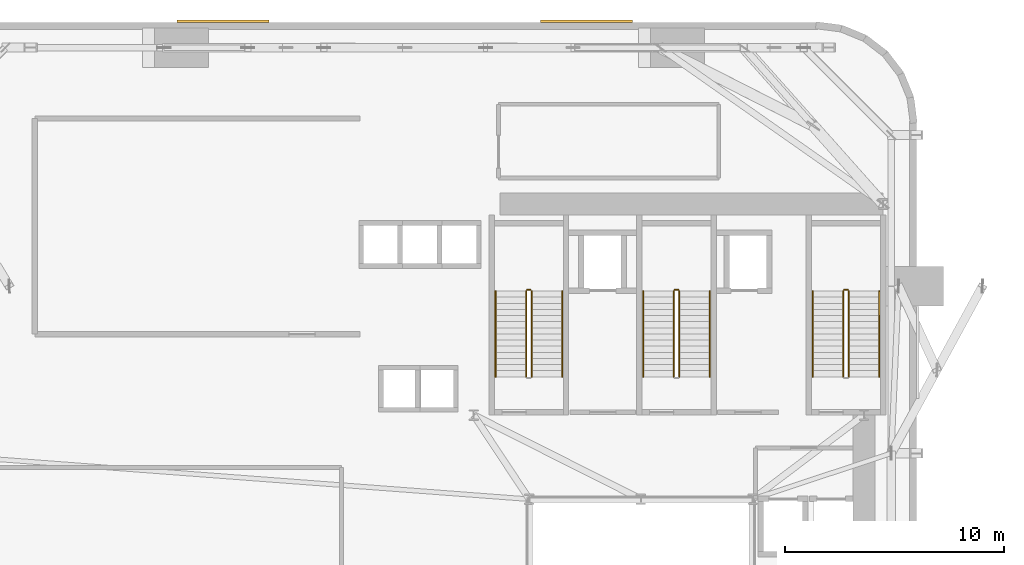
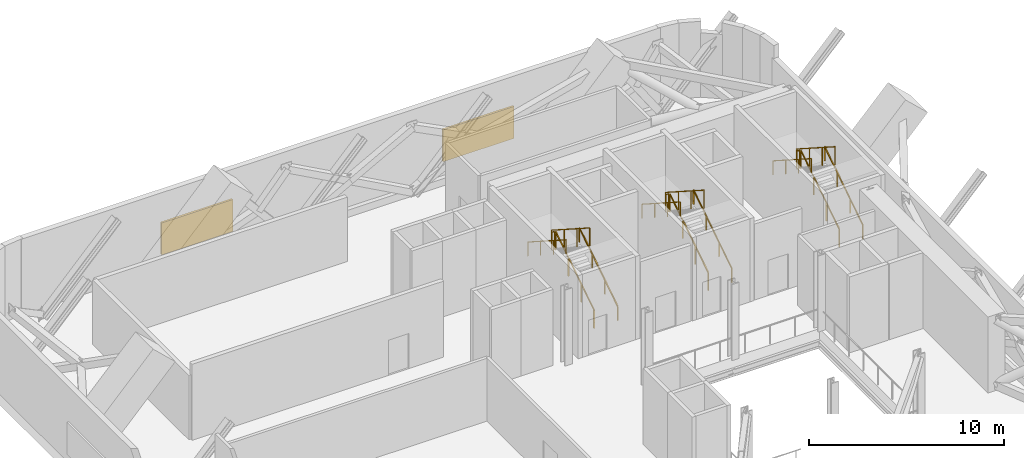
# One storey, part 12 of 12: 15 railings, 2 shading devices.
"""IFC4 building model written with IfcOpenShell, lengths in metres."""

import ifcopenshell
import ifcopenshell.guid

model = None  # the IFC model being written
_history = None  # IfcOwnerHistory: only IFC2X3 demands one
_inside = {}  # id of a spatial element -> (the spatial element, [elements in it])
_under = {}  # id of a project, library or spatial element -> (it, [spatial elements below it])
_declared = {}  # id of a project -> (the project, [libraries it declares])
_typed = {}  # id of a type object -> (the type object, [elements of that type])
_made_of = {}  # id of a material, layer set ... -> (it, [elements and type objects made of it])


def new_model(schema):
    """Start an empty IFC model of exactly this schema.

    Asked for "IFC4X3", IfcOpenShell would pick the latest addendum, in which some entities
    have other attributes; the version numbers below select the first issue.
    IFC2X3 requires an IfcOwnerHistory on every rooted entity: one is made here for all.
    """
    global model, _history
    if schema == "IFC4X3":
        model = ifcopenshell.file(schema_version=(4, 3, 0, 0))
    else:
        model = ifcopenshell.file(schema=schema)
    _inside.clear()
    _under.clear()
    _declared.clear()
    _typed.clear()
    _made_of.clear()
    _history = None
    if model.schema == "IFC2X3":
        org = make("IfcOrganization", Name="unknown")
        user = make(
            "IfcPersonAndOrganization",
            ThePerson=make("IfcPerson", FamilyName="unknown"),
            TheOrganization=org,
        )
        app = make(
            "IfcApplication",
            ApplicationDeveloper=org,
            Version="unknown",
            ApplicationFullName="unknown",
            ApplicationIdentifier="unknown",
        )
        _history = make(
            "IfcOwnerHistory",
            OwningUser=user,
            OwningApplication=app,
            ChangeAction="ADDED",
            CreationDate=0,
        )
    return model


def make(cls, **values):
    """One entity of the class cls with the attributes given. An attribute that is None is left unset."""
    return model.create_entity(
        cls, **{name: value for name, value in values.items() if value is not None}
    )


def rooted(cls, **values):
    """An entity with a GlobalId (a new one), such as an element, a storey or a relation."""
    return make(cls, GlobalId=ifcopenshell.guid.new(), OwnerHistory=_history, **values)


def si_unit(unit_type, name, prefix=None):
    """IfcSIUnit, for example si_unit("LENGTHUNIT", "METRE", prefix="MILLI")."""
    return make("IfcSIUnit", UnitType=unit_type, Prefix=prefix, Name=name)


def assignment(units):
    """IfcUnitAssignment: the units of a project."""
    return None if units is None else make("IfcUnitAssignment", Units=units)


def point(xyz):
    """IfcCartesianPoint."""
    return None if xyz is None else make("IfcCartesianPoint", Coordinates=xyz)


def direction(xyz):
    """IfcDirection."""
    return None if xyz is None else make("IfcDirection", DirectionRatios=xyz)


def frame(location, z_axis=None, x_axis=None):
    """IfcAxis2Placement3D, a coordinate frame: its origin and axes. An axis left out is left unset."""
    return make(
        "IfcAxis2Placement3D",
        Location=point(location),
        Axis=direction(z_axis),
        RefDirection=direction(x_axis),
    )


def frame_2d(location, x_axis=None):
    """IfcAxis2Placement2D, a coordinate frame in the plane: its origin and x axis."""
    return make(
        "IfcAxis2Placement2D", Location=point(location), RefDirection=direction(x_axis)
    )


def origin():
    """The frame at (0, 0, 0) with its axes left unset."""
    return frame((0.0, 0.0, 0.0))


def origin_2d():
    """The frame at (0, 0) in the plane with its x axis left unset."""
    return frame_2d((0.0, 0.0))


def place(relative_to, where):
    """IfcLocalPlacement: puts the frame where relative to a parent placement (None: the world)."""
    return make(
        "IfcLocalPlacement", PlacementRelTo=relative_to, RelativePlacement=where
    )


def context(
    kind, dimensions, precision=None, world=None, true_north=None, identifier=None
):
    """IfcGeometricRepresentationContext, for example the 3D "Model" context."""
    return make(
        "IfcGeometricRepresentationContext",
        ContextIdentifier=identifier,
        ContextType=kind,
        CoordinateSpaceDimension=dimensions,
        Precision=precision,
        WorldCoordinateSystem=world,
        TrueNorth=true_north,
    )


def subcontext(parent, identifier, kind, view, scale=None):
    """IfcGeometricRepresentationSubContext, for example "Body" below "Model"."""
    return make(
        "IfcGeometricRepresentationSubContext",
        ContextIdentifier=identifier,
        ContextType=kind,
        ParentContext=parent,
        TargetScale=scale,
        TargetView=view,
    )


def project(units=None, contexts=None):
    """IfcProject with its units and contexts."""
    return rooted(
        "IfcProject",
        Name="project",
        RepresentationContexts=contexts,
        UnitsInContext=assignment(units),
    )


def spatial(cls, under=None, at=None, **own):
    """A site, building, storey or space (cls), placed at a placement, below another one or the project."""
    s = rooted(cls, ObjectPlacement=at, **own)
    if under is not None:
        _under.setdefault(under.id(), (under, []))[1].append(s)
    return s


def profile(cls, at=None, kind="AREA", **sizes):
    """A parametric profile (cls). Its sizes go by their IFC names, for example OverallWidth=200.0."""
    return make(cls, ProfileType=kind, Position=at, **sizes)


def rectangle(**sizes):
    """IfcRectangleProfileDef."""
    return profile("IfcRectangleProfileDef", **sizes)


def extrude(swept, where, along, depth):
    """IfcExtrudedAreaSolid: the profile swept, set in the frame where, extruded along a direction by depth."""
    return make(
        "IfcExtrudedAreaSolid",
        SweptArea=swept,
        Position=where,
        ExtrudedDirection=direction(along),
        Depth=depth,
    )


def shape(context_of_items, identifier, shape_type, items):
    """IfcShapeRepresentation: the items that make up one representation, for example the "Body"."""
    return make(
        "IfcShapeRepresentation",
        ContextOfItems=context_of_items,
        RepresentationIdentifier=identifier,
        RepresentationType=shape_type,
        Items=items,
    )


def source(mapping_origin, context_of_items, identifier, shape_type, items):
    """IfcRepresentationMap: a shape defined once, which mapped items show again and again."""
    return make(
        "IfcRepresentationMap",
        MappingOrigin=mapping_origin,
        MappedRepresentation=shape(context_of_items, identifier, shape_type, items),
    )


def transform(
    local_origin,
    x_axis=None,
    y_axis=None,
    z_axis=None,
    scale=None,
    scale2=None,
    scale3=None,
    uniform=True,
):
    """IfcCartesianTransformationOperator3D, or its non-uniform kind. x_axis, y_axis, z_axis: its Axis1, 2, 3."""
    if uniform:
        return make(
            "IfcCartesianTransformationOperator3D",
            Axis1=direction(x_axis),
            Axis2=direction(y_axis),
            LocalOrigin=point(local_origin),
            Scale=scale,
            Axis3=direction(z_axis),
        )
    return make(
        "IfcCartesianTransformationOperator3DnonUniform",
        Axis1=direction(x_axis),
        Axis2=direction(y_axis),
        LocalOrigin=point(local_origin),
        Scale=scale,
        Axis3=direction(z_axis),
        Scale2=scale2,
        Scale3=scale3,
    )


def mapped(mapping_source, mapping_target):
    """IfcMappedItem: shows the shape of a source again, moved by a transform."""
    return make(
        "IfcMappedItem", MappingSource=mapping_source, MappingTarget=mapping_target
    )


def material(Name=None, Category=None):
    """IfcMaterial."""
    return make("IfcMaterial", Name=Name, Category=Category)


def layer(
    of_material, thickness, ventilated=None, Name=None, Category=None, Priority=None
):
    """IfcMaterialLayer: one layer of a wall or slab, of a material (None: an air gap)."""
    return make(
        "IfcMaterialLayer",
        Material=of_material,
        LayerThickness=thickness,
        IsVentilated=ventilated,
        Name=Name,
        Category=Category,
        Priority=Priority,
    )


def layer_set(layers, Name=None):
    """IfcMaterialLayerSet."""
    return make("IfcMaterialLayerSet", MaterialLayers=layers, LayerSetName=Name)


def made_of(thing, what):
    """Note that an element or type object is made of a material, layer set ...; save() writes the relation."""
    if what is not None:
        _made_of.setdefault(what.id(), (what, []))[1].append(thing)
    return thing


def type_object(cls, material=None, **own):
    """A type object (cls), such as IfcWallType, which elements share."""
    return made_of(rooted(cls, **own), material)


def element(
    cls,
    number,
    at=None,
    inside=None,
    cuts=None,
    type_object=None,
    material=None,
    context=None,
    identifier="Body",
    shape_type=None,
    held_by="IfcProductDefinitionShape",
    body=None,
    shapes=None,
    **own,
):
    """One element of the class cls, such as IfcWall. Its Tag is "e" and its number.

    at: its placement. inside: the storey or other place that contains it. cuts: it is an
    opening in that element (IfcRelVoidsElement). A single representation is given by context,
    identifier, shape_type and body (its items); several are given by shapes. held_by: the class
    of the entity that holds the representations. save() writes the other relations.
    """
    e = rooted(cls, Tag="e%d" % number, ObjectPlacement=at, **own)
    if body is not None:
        shapes = [shape(context, identifier, shape_type, body)]
    if shapes is not None:
        e.Representation = make(held_by, Representations=shapes)
    if inside is not None:
        _inside.setdefault(inside.id(), (inside, []))[1].append(e)
    if cuts is not None:
        rooted(
            "IfcRelVoidsElement", RelatingBuildingElement=cuts, RelatedOpeningElement=e
        )
    if type_object is not None:
        _typed.setdefault(type_object.id(), (type_object, []))[1].append(e)
    return made_of(e, material)


def aggregate(whole, parts):
    """IfcRelAggregates: a whole, such as a stair, and the parts it consists of."""
    return rooted("IfcRelAggregates", RelatingObject=whole, RelatedObjects=parts)


def save(model, path):
    """Write the relations noted so far, then the file.

    IfcRelAggregates (storeys below a building ...), IfcRelContainedInSpatialStructure (elements
    in a storey), IfcRelDefinesByType, IfcRelAssociatesMaterial and IfcRelDeclares: one each for
    every whole, place, type object, material and project.
    """
    for whole, parts in _under.values():
        aggregate(whole, parts)
    for where, things in _inside.values():
        rooted(
            "IfcRelContainedInSpatialStructure",
            RelatedElements=things,
            RelatingStructure=where,
        )
    for kind, things in _typed.values():
        rooted("IfcRelDefinesByType", RelatedObjects=things, RelatingType=kind)
    for what, things in _made_of.values():
        rooted("IfcRelAssociatesMaterial", RelatedObjects=things, RelatingMaterial=what)
    for by, libraries in _declared.values():
        rooted("IfcRelDeclares", RelatingContext=by, RelatedDefinitions=libraries)
    model.write(path)


model = new_model("IFC4")

# Units and contexts
model_context = context("Model", 3, precision=1e-05, world=origin(), true_north=direction((0.0, 1.0)))
body_context = subcontext(model_context, "Body", "Model", "MODEL_VIEW")
ifc_project = project(units=[si_unit("LENGTHUNIT", "METRE"), si_unit("AREAUNIT", "SQUARE_METRE"), si_unit("VOLUMEUNIT", "CUBIC_METRE"), si_unit("PLANEANGLEUNIT", "RADIAN"), si_unit("MASSUNIT", "GRAM", prefix="KILO")], contexts=[model_context])

# Site, building, storey
site_placement = place(None, origin())
site = spatial("IfcSite", under=ifc_project, at=site_placement, CompositionType="ELEMENT")
building_placement = place(site_placement, origin())
building = spatial("IfcBuilding", under=site, at=building_placement, Name="Vardaveli Station Tower", CompositionType="ELEMENT")
storey_placement = place(building_placement, frame((0.0, 0.0, 93.300048828125)))
storey = spatial("IfcBuildingStorey", under=building, at=storey_placement, Name="L24", CompositionType="ELEMENT", Elevation=93.300048828125)

# Shading devices
ifc_material_1 = material(Name="Anodised champagne aluminium acoustic louvre", Category="aluminium")
ifc_layer = layer(ifc_material_1, 0.1201171875, Name="Anodised champagne aluminium acoustic louvre")
ifc_layer_set = layer_set([ifc_layer], Name="Anodised champagne aluminium acoustic louvre")
shading_device_type = type_object("IfcShadingDeviceType", Name="SHD-LOUVRE-JAL", PredefinedType="JALOUSIE", material=ifc_layer_set)
shared_shape_1 = source(origin(), body_context, "Body", "SweptSolid", [
    extrude(rectangle(XDim=4.199951171875, YDim=0.1201171875, at=origin_2d()), origin(), (0.0, 0.0, 1.0), 2.0),
])
for number, where, z_axis, x_axis, name in (
    (1, (33.81591796875, 48.654052734375, 0.599853515625), (0.0, 0.0, 1.0), (1.0, 0.0, 0.0), "SHD-LV-L24-N1"),
    (2, (17.18408203125, 48.654052734375, 0.599853515625), (0.0, 0.0, 1.0), (1.0, 0.0, 0.0), "SHD-LV-L24-N2"),
):
    element("IfcShadingDevice", number, at=place(storey_placement, frame(where, z_axis=z_axis, x_axis=x_axis)), inside=storey, type_object=shading_device_type, Name=name, PredefinedType="JALOUSIE", context=body_context, shape_type="MappedRepresentation", body=[
        mapped(shared_shape_1, transform((0.0, 0.0, 0.0), scale=1.0)),
    ])

# Railings
ifc_material_2 = material(Name="Brushed AISI 316 stainless steel", Category="steel")
railing_type_1 = type_object("IfcRailingType", Name="RL-GUARD-1150", PredefinedType="GUARDRAIL", material=ifc_material_2)
shared_shape_2 = source(origin(), body_context, "Body", "SweptSolid", [
    extrude(rectangle(XDim=0.048095703125, YDim=0.048095703125, at=origin_2d()), frame((0.0, 0.0, 1.1259765625), z_axis=(0.0, 0.841186985886, 0.540744352514), x_axis=(-1.0, 0.0, 0.0)), (0.0, 0.0, 1.0), 4.660400390625),
    extrude(rectangle(XDim=0.0419921875, YDim=0.0419921875, at=origin_2d()), origin(), (0.0, 0.0, 1.0), 1.101806640625),
    extrude(rectangle(XDim=0.0419921875, YDim=0.0419921875, at=origin_2d()), frame((0.0, 1.306640625, 0.840087890625)), (0.0, 0.0, 1.0), 1.101806640625),
    extrude(rectangle(XDim=0.0419921875, YDim=0.0419921875, at=origin_2d()), frame((0.0, 2.613525390625, 1.679931640625)), (0.0, 0.0, 1.0), 1.101806640625),
    extrude(rectangle(XDim=0.0419921875, YDim=0.0419921875, at=origin_2d()), frame((0.0, 3.920166015625, 2.52001953125)), (0.0, 0.0, 1.0), 1.101806640625),
])
for number, where, name in (
    (3, (31.300048828125, 32.39990234375, 0.179931640625), "L24 ST-1 stair guard 1"),
    (4, (38.050048828125, 32.39990234375, 0.179931640625), "L24 ST-2 stair guard 1"),
    (5, (45.800048828125, 32.39990234375, 0.179931640625), "L24 ST-3 stair guard 1"),
):
    element("IfcRailing", number, at=place(storey_placement, frame(where)), inside=storey, type_object=railing_type_1, Name=name, PredefinedType="GUARDRAIL", context=body_context, shape_type="MappedRepresentation", body=[
        mapped(shared_shape_2, transform((0.0, 0.0, 0.0), scale=1.0)),
    ])
shared_shape_3 = source(origin(), body_context, "Body", "SweptSolid", [
    extrude(rectangle(XDim=0.048095703125, YDim=0.048095703125, at=origin_2d()), frame((0.0, 0.0, 1.1259765625), z_axis=(-1.0, 0.0, 0.0), x_axis=(0.0, -1.0, 0.0)), (0.0, 0.0, 1.0), 0.14990234375),
    extrude(rectangle(XDim=0.0419921875, YDim=0.0419921875, at=origin_2d()), origin(), (0.0, 0.0, 1.0), 1.101806640625),
    extrude(rectangle(XDim=0.0419921875, YDim=0.0419921875, at=origin_2d()), frame((-0.14990234375, 0.0, 0.0)), (0.0, 0.0, 1.0), 1.101806640625),
])
for number, where, name in (
    (6, (31.25, 36.3701171875, 2.699951171875), "L24 ST-1 stair guard 2"),
    (7, (38.0, 36.3701171875, 2.699951171875), "L24 ST-2 stair guard 2"),
    (8, (45.75, 36.3701171875, 2.699951171875), "L24 ST-3 stair guard 2"),
):
    element("IfcRailing", number, at=place(storey_placement, frame(where)), inside=storey, type_object=railing_type_1, Name=name, PredefinedType="GUARDRAIL", context=body_context, shape_type="MappedRepresentation", body=[
        mapped(shared_shape_3, transform((0.0, 0.0, 0.0), scale=1.0)),
    ])
shared_shape_4 = source(origin(), body_context, "Body", "SweptSolid", [
    extrude(rectangle(XDim=0.048095703125, YDim=0.048095703125, at=origin_2d()), frame((0.0, 0.0, 1.1259765625), z_axis=(0.0, -0.841186985886, 0.540744352514), x_axis=(1.0, 0.0, 0.0)), (0.0, 0.0, 1.0), 4.660400390625),
    extrude(rectangle(XDim=0.0419921875, YDim=0.0419921875, at=origin_2d()), origin(), (0.0, 0.0, 1.0), 1.101806640625),
    extrude(rectangle(XDim=0.0419921875, YDim=0.0419921875, at=origin_2d()), frame((0.0, -1.306640625, 0.840087890625)), (0.0, 0.0, 1.0), 1.101806640625),
    extrude(rectangle(XDim=0.0419921875, YDim=0.0419921875, at=origin_2d()), frame((0.0, -2.613525390625, 1.679931640625)), (0.0, 0.0, 1.0), 1.101806640625),
    extrude(rectangle(XDim=0.0419921875, YDim=0.0419921875, at=origin_2d()), frame((0.0, -3.920166015625, 2.52001953125)), (0.0, 0.0, 1.0), 1.101806640625),
])
for number, where, name in (
    (9, (31.050048828125, 36.320068359375, 2.8798828125), "L24 ST-1 stair guard 3"),
    (10, (37.800048828125, 36.320068359375, 2.8798828125), "L24 ST-2 stair guard 3"),
    (11, (45.550048828125, 36.320068359375, 2.8798828125), "L24 ST-3 stair guard 3"),
):
    element("IfcRailing", number, at=place(storey_placement, frame(where)), inside=storey, type_object=railing_type_1, Name=name, PredefinedType="GUARDRAIL", context=body_context, shape_type="MappedRepresentation", body=[
        mapped(shared_shape_4, transform((0.0, 0.0, 0.0), scale=1.0)),
    ])
railing_type_2 = type_object("IfcRailingType", Name="RL-HAND-900", PredefinedType="HANDRAIL", material=ifc_material_2)
shared_shape_5 = source(origin(), body_context, "Body", "SweptSolid", [
    extrude(rectangle(XDim=0.048095703125, YDim=0.048095703125, at=origin_2d()), frame((0.0, 0.0, 0.8759765625), z_axis=(0.0, 0.841186985886, 0.540744352514), x_axis=(-1.0, 0.0, 0.0)), (0.0, 0.0, 1.0), 4.660400390625),
    extrude(rectangle(XDim=0.0419921875, YDim=0.0419921875, at=origin_2d()), origin(), (0.0, 0.0, 1.0), 0.851806640625),
    extrude(rectangle(XDim=0.0419921875, YDim=0.0419921875, at=origin_2d()), frame((0.0, 1.306640625, 0.840087890625)), (0.0, 0.0, 1.0), 0.851806640625),
    extrude(rectangle(XDim=0.0419921875, YDim=0.0419921875, at=origin_2d()), frame((0.0, 2.613525390625, 1.679931640625)), (0.0, 0.0, 1.0), 0.851806640625),
    extrude(rectangle(XDim=0.0419921875, YDim=0.0419921875, at=origin_2d()), frame((0.0, 3.920166015625, 2.52001953125)), (0.0, 0.0, 1.0), 0.851806640625),
])
for number, where, name in (
    (12, (32.699951171875, 32.39990234375, 0.179931640625), "L24 ST-1 stair handrail 1"),
    (13, (39.449951171875, 32.39990234375, 0.179931640625), "L24 ST-2 stair handrail 1"),
    (14, (47.199951171875, 32.39990234375, 0.179931640625), "L24 ST-3 stair handrail 1"),
):
    element("IfcRailing", number, at=place(storey_placement, frame(where)), inside=storey, type_object=railing_type_2, Name=name, PredefinedType="HANDRAIL", context=body_context, shape_type="MappedRepresentation", body=[
        mapped(shared_shape_5, transform((0.0, 0.0, 0.0), scale=1.0)),
    ])
shared_shape_6 = source(origin(), body_context, "Body", "SweptSolid", [
    extrude(rectangle(XDim=0.048095703125, YDim=0.048095703125, at=origin_2d()), frame((0.0, 0.0, 0.8759765625), z_axis=(0.0, -0.841186985886, 0.540744352514), x_axis=(1.0, 0.0, 0.0)), (0.0, 0.0, 1.0), 4.660400390625),
    extrude(rectangle(XDim=0.0419921875, YDim=0.0419921875, at=origin_2d()), origin(), (0.0, 0.0, 1.0), 0.851806640625),
    extrude(rectangle(XDim=0.0419921875, YDim=0.0419921875, at=origin_2d()), frame((0.0, -1.306640625, 0.840087890625)), (0.0, 0.0, 1.0), 0.851806640625),
    extrude(rectangle(XDim=0.0419921875, YDim=0.0419921875, at=origin_2d()), frame((0.0, -2.613525390625, 1.679931640625)), (0.0, 0.0, 1.0), 0.851806640625),
    extrude(rectangle(XDim=0.0419921875, YDim=0.0419921875, at=origin_2d()), frame((0.0, -3.920166015625, 2.52001953125)), (0.0, 0.0, 1.0), 0.851806640625),
])
for number, where, name in (
    (15, (29.64990234375, 36.320068359375, 2.8798828125), "L24 ST-1 stair handrail 2"),
    (16, (36.39990234375, 36.320068359375, 2.8798828125), "L24 ST-2 stair handrail 2"),
    (17, (44.14990234375, 36.320068359375, 2.8798828125), "L24 ST-3 stair handrail 2"),
):
    element("IfcRailing", number, at=place(storey_placement, frame(where)), inside=storey, type_object=railing_type_2, Name=name, PredefinedType="HANDRAIL", context=body_context, shape_type="MappedRepresentation", body=[
        mapped(shared_shape_6, transform((0.0, 0.0, 0.0), scale=1.0)),
    ])

save(model, "model.ifc")
